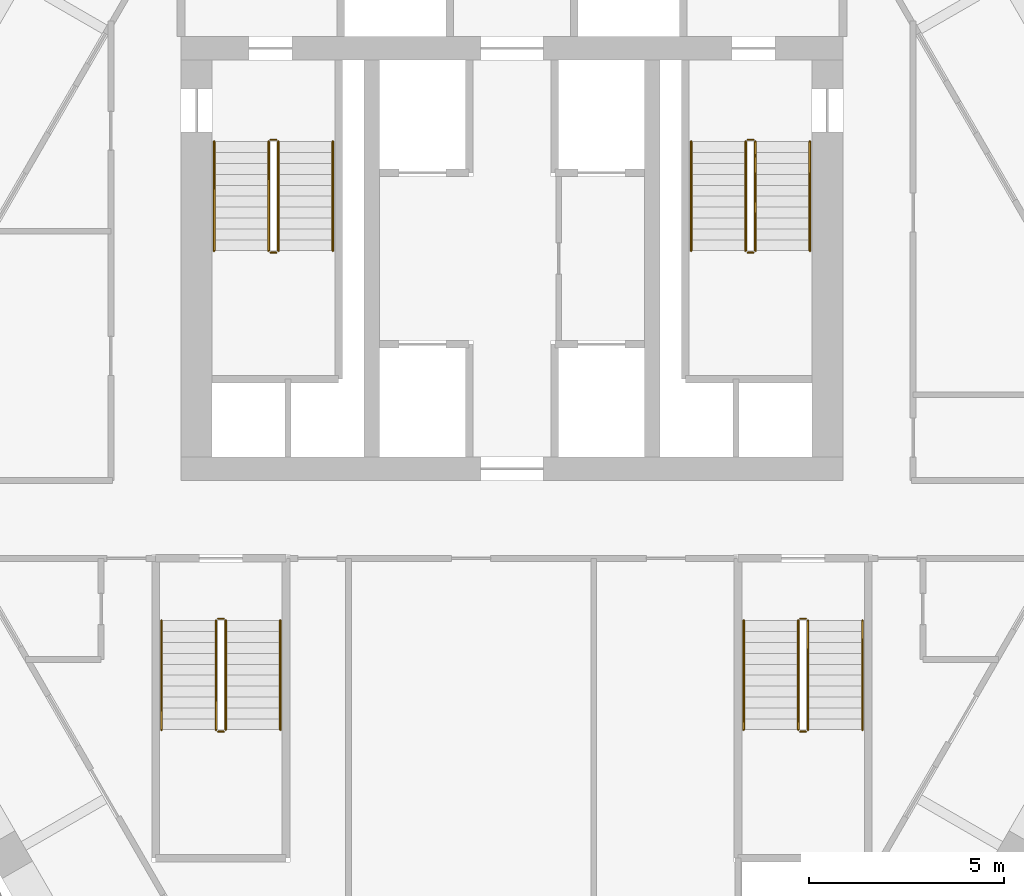
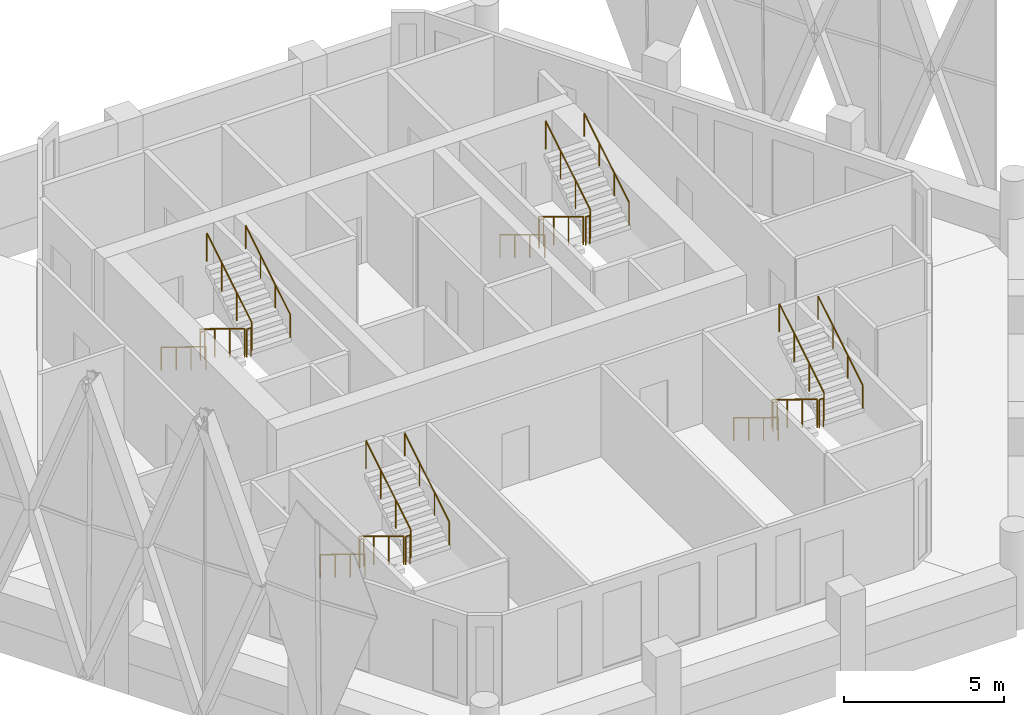
# One storey, part 18 of 18: 24 railings.
"""IFC4 building model written with IfcOpenShell, lengths in metres."""

from ifc_helpers import new_model, si_unit, direction, frame, origin, origin_2d, place, context, subcontext, project, spatial, circle, extrude, material, type_object, element, save


model = new_model("IFC4")

# Units and contexts
model_context = context("Model", 3, precision=1e-05, world=origin(), true_north=direction((0.0, 1.0)))
body_context = subcontext(model_context, "Body", "Model", "MODEL_VIEW")
ifc_project = project(units=[si_unit("LENGTHUNIT", "METRE"), si_unit("AREAUNIT", "SQUARE_METRE"), si_unit("VOLUMEUNIT", "CUBIC_METRE"), si_unit("PLANEANGLEUNIT", "RADIAN"), si_unit("MASSUNIT", "GRAM", prefix="KILO")], contexts=[model_context])

# Site, building, storey
site_placement = place(None, origin())
site = spatial("IfcSite", under=ifc_project, at=site_placement, CompositionType="ELEMENT")
building_placement = place(site_placement, origin())
building = spatial("IfcBuilding", under=site, at=building_placement, Name="Ostrander Bayou Hotel Tower", CompositionType="ELEMENT")
storey_placement = place(building_placement, frame((0.0, 0.0, 214.5)))
storey = spatial("IfcBuildingStorey", under=building, at=storey_placement, Name="L53", CompositionType="ELEMENT", Elevation=214.5)

# Railings
ifc_material_1 = material(Name="Steel ASTM A500 Gr C", Category="steel")
railing_type_1 = type_object("IfcRailingType", Name="GR1 stair guard 1100 mm steel", PredefinedType="GUARDRAIL", material=ifc_material_1)
railing_1_placement = place(storey_placement, frame((-6.25, 7.0, 0.17041015625)))
element("IfcRailing", 1, at=railing_1_placement, inside=storey, type_object=railing_type_1, Name="L53 STA stair guard 1", PredefinedType="GUARDRAIL", context=body_context, shape_type="SweptSolid", body=[
    extrude(circle(Radius=0.02392578125, at=origin_2d()), frame((0.0, 0.0, 1.076171875), z_axis=(0.0, -0.854169791009, 0.51999420009), x_axis=(1.0, 0.0, 0.0)), (0.0, 0.0, 1.0), 3.278076171875),
    extrude(circle(Radius=0.02099609375, at=origin_2d()), origin(), (0.0, 0.0, 1.0), 1.052001953125),
    extrude(circle(Radius=0.02099609375, at=origin_2d()), frame((0.0, -0.933349609375, 0.568115234375)), (0.0, 0.0, 1.0), 1.052001953125),
    extrude(circle(Radius=0.02099609375, at=origin_2d()), frame((0.0, -1.86669921875, 1.136474609375)), (0.0, 0.0, 1.0), 1.052001953125),
    extrude(circle(Radius=0.02099609375, at=origin_2d()), frame((0.0, -2.800048828125, 1.70458984375)), (0.0, 0.0, 1.0), 1.052001953125),
])
railing_2_placement = place(storey_placement, frame((-6.199951171875, 4.14990234375, 1.875)))
element("IfcRailing", 2, at=railing_2_placement, inside=storey, type_object=railing_type_1, Name="L53 STA stair guard 2", PredefinedType="GUARDRAIL", context=body_context, shape_type="SweptSolid", body=[
    extrude(circle(Radius=0.02392578125, at=origin_2d()), frame((0.0, 0.0, 1.076171875), z_axis=(1.0, 0.0, 0.0), x_axis=(0.0, 1.0, 0.0)), (0.0, 0.0, 1.0), 0.14990234375),
    extrude(circle(Radius=0.02099609375, at=origin_2d()), origin(), (0.0, 0.0, 1.0), 1.052001953125),
    extrude(circle(Radius=0.02099609375, at=origin_2d()), frame((0.14990234375, 0.0, 0.0)), (0.0, 0.0, 1.0), 1.052001953125),
])
railing_3_placement = place(storey_placement, frame((-6.0, 4.199951171875, 2.04541015625)))
element("IfcRailing", 3, at=railing_3_placement, inside=storey, type_object=railing_type_1, Name="L53 STA stair guard 3", PredefinedType="GUARDRAIL", context=body_context, shape_type="SweptSolid", body=[
    extrude(circle(Radius=0.02392578125, at=origin_2d()), frame((0.0, 0.0, 1.076171875), z_axis=(0.0, 0.854169791009, 0.51999420009), x_axis=(-1.0, 0.0, 0.0)), (0.0, 0.0, 1.0), 3.278076171875),
    extrude(circle(Radius=0.02099609375, at=origin_2d()), origin(), (0.0, 0.0, 1.0), 1.052001953125),
    extrude(circle(Radius=0.02099609375, at=origin_2d()), frame((0.0, 0.933349609375, 0.568115234375)), (0.0, 0.0, 1.0), 1.052001953125),
    extrude(circle(Radius=0.02099609375, at=origin_2d()), frame((0.0, 1.86669921875, 1.136474609375)), (0.0, 0.0, 1.0), 1.052001953125),
    extrude(circle(Radius=0.02099609375, at=origin_2d()), frame((0.0, 2.800048828125, 1.70458984375)), (0.0, 0.0, 1.0), 1.052001953125),
])
railing_4_placement = place(storey_placement, frame((-6.199951171875, 7.050048828125, 0.0)))
element("IfcRailing", 4, at=railing_4_placement, inside=storey, type_object=railing_type_1, Name="L53 STA stair guard 4", PredefinedType="GUARDRAIL", context=body_context, shape_type="SweptSolid", body=[
    extrude(circle(Radius=0.02392578125, at=origin_2d()), frame((0.0, 0.0, 1.076171875), z_axis=(1.0, 0.0, 0.0), x_axis=(0.0, 1.0, 0.0)), (0.0, 0.0, 1.0), 0.14990234375),
    extrude(circle(Radius=0.02099609375, at=origin_2d()), origin(), (0.0, 0.0, 1.0), 1.052001953125),
    extrude(circle(Radius=0.02099609375, at=origin_2d()), frame((0.14990234375, 0.0, 0.0)), (0.0, 0.0, 1.0), 1.052001953125),
])
railing_5_placement = place(storey_placement, frame((6.0, 7.0, 0.17041015625)))
element("IfcRailing", 5, at=railing_5_placement, inside=storey, type_object=railing_type_1, Name="L53 STB stair guard 1", PredefinedType="GUARDRAIL", context=body_context, shape_type="SweptSolid", body=[
    extrude(circle(Radius=0.02392578125, at=origin_2d()), frame((0.0, 0.0, 1.076171875), z_axis=(0.0, -0.854169791009, 0.51999420009), x_axis=(1.0, 0.0, 0.0)), (0.0, 0.0, 1.0), 3.278076171875),
    extrude(circle(Radius=0.02099609375, at=origin_2d()), origin(), (0.0, 0.0, 1.0), 1.052001953125),
    extrude(circle(Radius=0.02099609375, at=origin_2d()), frame((0.0, -0.933349609375, 0.568115234375)), (0.0, 0.0, 1.0), 1.052001953125),
    extrude(circle(Radius=0.02099609375, at=origin_2d()), frame((0.0, -1.86669921875, 1.136474609375)), (0.0, 0.0, 1.0), 1.052001953125),
    extrude(circle(Radius=0.02099609375, at=origin_2d()), frame((0.0, -2.800048828125, 1.70458984375)), (0.0, 0.0, 1.0), 1.052001953125),
])
railing_6_placement = place(storey_placement, frame((6.050048828125, 4.14990234375, 1.875)))
element("IfcRailing", 6, at=railing_6_placement, inside=storey, type_object=railing_type_1, Name="L53 STB stair guard 2", PredefinedType="GUARDRAIL", context=body_context, shape_type="SweptSolid", body=[
    extrude(circle(Radius=0.02392578125, at=origin_2d()), frame((0.0, 0.0, 1.076171875), z_axis=(1.0, 0.0, 0.0), x_axis=(0.0, 1.0, 0.0)), (0.0, 0.0, 1.0), 0.14990234375),
    extrude(circle(Radius=0.02099609375, at=origin_2d()), origin(), (0.0, 0.0, 1.0), 1.052001953125),
    extrude(circle(Radius=0.02099609375, at=origin_2d()), frame((0.14990234375, 0.0, 0.0)), (0.0, 0.0, 1.0), 1.052001953125),
])
railing_7_placement = place(storey_placement, frame((6.25, 4.199951171875, 2.04541015625)))
element("IfcRailing", 7, at=railing_7_placement, inside=storey, type_object=railing_type_1, Name="L53 STB stair guard 3", PredefinedType="GUARDRAIL", context=body_context, shape_type="SweptSolid", body=[
    extrude(circle(Radius=0.02392578125, at=origin_2d()), frame((0.0, 0.0, 1.076171875), z_axis=(0.0, 0.854169791009, 0.51999420009), x_axis=(-1.0, 0.0, 0.0)), (0.0, 0.0, 1.0), 3.278076171875),
    extrude(circle(Radius=0.02099609375, at=origin_2d()), origin(), (0.0, 0.0, 1.0), 1.052001953125),
    extrude(circle(Radius=0.02099609375, at=origin_2d()), frame((0.0, 0.933349609375, 0.568115234375)), (0.0, 0.0, 1.0), 1.052001953125),
    extrude(circle(Radius=0.02099609375, at=origin_2d()), frame((0.0, 1.86669921875, 1.136474609375)), (0.0, 0.0, 1.0), 1.052001953125),
    extrude(circle(Radius=0.02099609375, at=origin_2d()), frame((0.0, 2.800048828125, 1.70458984375)), (0.0, 0.0, 1.0), 1.052001953125),
])
railing_8_placement = place(storey_placement, frame((6.050048828125, 7.050048828125, 0.0)))
element("IfcRailing", 8, at=railing_8_placement, inside=storey, type_object=railing_type_1, Name="L53 STB stair guard 4", PredefinedType="GUARDRAIL", context=body_context, shape_type="SweptSolid", body=[
    extrude(circle(Radius=0.02392578125, at=origin_2d()), frame((0.0, 0.0, 1.076171875), z_axis=(1.0, 0.0, 0.0), x_axis=(0.0, 1.0, 0.0)), (0.0, 0.0, 1.0), 0.14990234375),
    extrude(circle(Radius=0.02099609375, at=origin_2d()), origin(), (0.0, 0.0, 1.0), 1.052001953125),
    extrude(circle(Radius=0.02099609375, at=origin_2d()), frame((0.14990234375, 0.0, 0.0)), (0.0, 0.0, 1.0), 1.052001953125),
])
railing_9_placement = place(storey_placement, frame((7.35009765625, -5.300048828125, 0.17041015625)))
element("IfcRailing", 9, at=railing_9_placement, inside=storey, type_object=railing_type_1, Name="L53 STC stair guard 1", PredefinedType="GUARDRAIL", context=body_context, shape_type="SweptSolid", body=[
    extrude(circle(Radius=0.02392578125, at=origin_2d()), frame((0.0, 0.0, 1.076171875), z_axis=(0.0, -0.854169791009, 0.51999420009), x_axis=(1.0, 0.0, 0.0)), (0.0, 0.0, 1.0), 3.278076171875),
    extrude(circle(Radius=0.02099609375, at=origin_2d()), origin(), (0.0, 0.0, 1.0), 1.052001953125),
    extrude(circle(Radius=0.02099609375, at=origin_2d()), frame((0.0, -0.933349609375, 0.568115234375)), (0.0, 0.0, 1.0), 1.052001953125),
    extrude(circle(Radius=0.02099609375, at=origin_2d()), frame((0.0, -1.86669921875, 1.136474609375)), (0.0, 0.0, 1.0), 1.052001953125),
    extrude(circle(Radius=0.02099609375, at=origin_2d()), frame((0.0, -2.800048828125, 1.70458984375)), (0.0, 0.0, 1.0), 1.052001953125),
])
railing_10_placement = place(storey_placement, frame((7.39990234375, -8.14990234375, 1.875)))
element("IfcRailing", 10, at=railing_10_placement, inside=storey, type_object=railing_type_1, Name="L53 STC stair guard 2", PredefinedType="GUARDRAIL", context=body_context, shape_type="SweptSolid", body=[
    extrude(circle(Radius=0.02392578125, at=origin_2d()), frame((0.0, 0.0, 1.076171875), z_axis=(1.0, 0.0, 0.0), x_axis=(0.0, 1.0, 0.0)), (0.0, 0.0, 1.0), 0.150146484375),
    extrude(circle(Radius=0.02099609375, at=origin_2d()), origin(), (0.0, 0.0, 1.0), 1.052001953125),
    extrude(circle(Radius=0.02099609375, at=origin_2d()), frame((0.150146484375, 0.0, 0.0)), (0.0, 0.0, 1.0), 1.052001953125),
])
railing_11_placement = place(storey_placement, frame((7.60009765625, -8.10009765625, 2.04541015625)))
element("IfcRailing", 11, at=railing_11_placement, inside=storey, type_object=railing_type_1, Name="L53 STC stair guard 3", PredefinedType="GUARDRAIL", context=body_context, shape_type="SweptSolid", body=[
    extrude(circle(Radius=0.02392578125, at=origin_2d()), frame((0.0, 0.0, 1.076171875), z_axis=(0.0, 0.854169791009, 0.51999420009), x_axis=(-1.0, 0.0, 0.0)), (0.0, 0.0, 1.0), 3.278076171875),
    extrude(circle(Radius=0.02099609375, at=origin_2d()), origin(), (0.0, 0.0, 1.0), 1.052001953125),
    extrude(circle(Radius=0.02099609375, at=origin_2d()), frame((0.0, 0.933349609375, 0.568115234375)), (0.0, 0.0, 1.0), 1.052001953125),
    extrude(circle(Radius=0.02099609375, at=origin_2d()), frame((0.0, 1.86669921875, 1.136474609375)), (0.0, 0.0, 1.0), 1.052001953125),
    extrude(circle(Radius=0.02099609375, at=origin_2d()), frame((0.0, 2.800048828125, 1.70458984375)), (0.0, 0.0, 1.0), 1.052001953125),
])
railing_12_placement = place(storey_placement, frame((7.39990234375, -5.25, 0.0)))
element("IfcRailing", 12, at=railing_12_placement, inside=storey, type_object=railing_type_1, Name="L53 STC stair guard 4", PredefinedType="GUARDRAIL", context=body_context, shape_type="SweptSolid", body=[
    extrude(circle(Radius=0.02392578125, at=origin_2d()), frame((0.0, 0.0, 1.076171875), z_axis=(1.0, 0.0, 0.0), x_axis=(0.0, 1.0, 0.0)), (0.0, 0.0, 1.0), 0.150146484375),
    extrude(circle(Radius=0.02099609375, at=origin_2d()), origin(), (0.0, 0.0, 1.0), 1.052001953125),
    extrude(circle(Radius=0.02099609375, at=origin_2d()), frame((0.150146484375, 0.0, 0.0)), (0.0, 0.0, 1.0), 1.052001953125),
])
railing_13_placement = place(storey_placement, frame((-7.60009765625, -5.300048828125, 0.17041015625)))
element("IfcRailing", 13, at=railing_13_placement, inside=storey, type_object=railing_type_1, Name="L53 STD stair guard 1", PredefinedType="GUARDRAIL", context=body_context, shape_type="SweptSolid", body=[
    extrude(circle(Radius=0.02392578125, at=origin_2d()), frame((0.0, 0.0, 1.076171875), z_axis=(0.0, -0.854169791009, 0.51999420009), x_axis=(1.0, 0.0, 0.0)), (0.0, 0.0, 1.0), 3.278076171875),
    extrude(circle(Radius=0.02099609375, at=origin_2d()), origin(), (0.0, 0.0, 1.0), 1.052001953125),
    extrude(circle(Radius=0.02099609375, at=origin_2d()), frame((0.0, -0.933349609375, 0.568115234375)), (0.0, 0.0, 1.0), 1.052001953125),
    extrude(circle(Radius=0.02099609375, at=origin_2d()), frame((0.0, -1.86669921875, 1.136474609375)), (0.0, 0.0, 1.0), 1.052001953125),
    extrude(circle(Radius=0.02099609375, at=origin_2d()), frame((0.0, -2.800048828125, 1.70458984375)), (0.0, 0.0, 1.0), 1.052001953125),
])
railing_14_placement = place(storey_placement, frame((-7.550048828125, -8.14990234375, 1.875)))
element("IfcRailing", 14, at=railing_14_placement, inside=storey, type_object=railing_type_1, Name="L53 STD stair guard 2", PredefinedType="GUARDRAIL", context=body_context, shape_type="SweptSolid", body=[
    extrude(circle(Radius=0.02392578125, at=origin_2d()), frame((0.0, 0.0, 1.076171875), z_axis=(1.0, 0.0, 0.0), x_axis=(0.0, 1.0, 0.0)), (0.0, 0.0, 1.0), 0.150146484375),
    extrude(circle(Radius=0.02099609375, at=origin_2d()), origin(), (0.0, 0.0, 1.0), 1.052001953125),
    extrude(circle(Radius=0.02099609375, at=origin_2d()), frame((0.150146484375, 0.0, 0.0)), (0.0, 0.0, 1.0), 1.052001953125),
])
railing_15_placement = place(storey_placement, frame((-7.35009765625, -8.10009765625, 2.04541015625)))
element("IfcRailing", 15, at=railing_15_placement, inside=storey, type_object=railing_type_1, Name="L53 STD stair guard 3", PredefinedType="GUARDRAIL", context=body_context, shape_type="SweptSolid", body=[
    extrude(circle(Radius=0.02392578125, at=origin_2d()), frame((0.0, 0.0, 1.076171875), z_axis=(0.0, 0.854169791009, 0.51999420009), x_axis=(-1.0, 0.0, 0.0)), (0.0, 0.0, 1.0), 3.278076171875),
    extrude(circle(Radius=0.02099609375, at=origin_2d()), origin(), (0.0, 0.0, 1.0), 1.052001953125),
    extrude(circle(Radius=0.02099609375, at=origin_2d()), frame((0.0, 0.933349609375, 0.568115234375)), (0.0, 0.0, 1.0), 1.052001953125),
    extrude(circle(Radius=0.02099609375, at=origin_2d()), frame((0.0, 1.86669921875, 1.136474609375)), (0.0, 0.0, 1.0), 1.052001953125),
    extrude(circle(Radius=0.02099609375, at=origin_2d()), frame((0.0, 2.800048828125, 1.70458984375)), (0.0, 0.0, 1.0), 1.052001953125),
])
railing_16_placement = place(storey_placement, frame((-7.550048828125, -5.25, 0.0)))
element("IfcRailing", 16, at=railing_16_placement, inside=storey, type_object=railing_type_1, Name="L53 STD stair guard 4", PredefinedType="GUARDRAIL", context=body_context, shape_type="SweptSolid", body=[
    extrude(circle(Radius=0.02392578125, at=origin_2d()), frame((0.0, 0.0, 1.076171875), z_axis=(1.0, 0.0, 0.0), x_axis=(0.0, 1.0, 0.0)), (0.0, 0.0, 1.0), 0.150146484375),
    extrude(circle(Radius=0.02099609375, at=origin_2d()), origin(), (0.0, 0.0, 1.0), 1.052001953125),
    extrude(circle(Radius=0.02099609375, at=origin_2d()), frame((0.150146484375, 0.0, 0.0)), (0.0, 0.0, 1.0), 1.052001953125),
])
ifc_material_2 = material(Name="Steel ASTM A500 Gr C", Category="steel")
railing_type_2 = type_object("IfcRailingType", Name="HR1 stair handrail 900 mm steel", PredefinedType="HANDRAIL", material=ifc_material_2)
railing_17_placement = place(storey_placement, frame((-7.64990234375, 7.0, 0.17041015625)))
element("IfcRailing", 17, at=railing_17_placement, inside=storey, type_object=railing_type_2, Name="L53 STA stair handrail 1", PredefinedType="HANDRAIL", context=body_context, shape_type="SweptSolid", body=[
    extrude(circle(Radius=0.02392578125, at=origin_2d()), frame((0.0, 0.0, 0.8759765625), z_axis=(0.0, -0.854169791009, 0.51999420009), x_axis=(1.0, 0.0, 0.0)), (0.0, 0.0, 1.0), 3.278076171875),
    extrude(circle(Radius=0.02099609375, at=origin_2d()), origin(), (0.0, 0.0, 1.0), 0.851806640625),
    extrude(circle(Radius=0.02099609375, at=origin_2d()), frame((0.0, -0.933349609375, 0.568115234375)), (0.0, 0.0, 1.0), 0.851806640625),
    extrude(circle(Radius=0.02099609375, at=origin_2d()), frame((0.0, -1.86669921875, 1.136474609375)), (0.0, 0.0, 1.0), 0.851806640625),
    extrude(circle(Radius=0.02099609375, at=origin_2d()), frame((0.0, -2.800048828125, 1.70458984375)), (0.0, 0.0, 1.0), 0.851806640625),
])
railing_18_placement = place(storey_placement, frame((-4.60009765625, 4.199951171875, 2.04541015625)))
element("IfcRailing", 18, at=railing_18_placement, inside=storey, type_object=railing_type_2, Name="L53 STA stair handrail 2", PredefinedType="HANDRAIL", context=body_context, shape_type="SweptSolid", body=[
    extrude(circle(Radius=0.02392578125, at=origin_2d()), frame((0.0, 0.0, 0.8759765625), z_axis=(0.0, 0.854169791009, 0.51999420009), x_axis=(-1.0, 0.0, 0.0)), (0.0, 0.0, 1.0), 3.278076171875),
    extrude(circle(Radius=0.02099609375, at=origin_2d()), origin(), (0.0, 0.0, 1.0), 0.851806640625),
    extrude(circle(Radius=0.02099609375, at=origin_2d()), frame((0.0, 0.933349609375, 0.568115234375)), (0.0, 0.0, 1.0), 0.851806640625),
    extrude(circle(Radius=0.02099609375, at=origin_2d()), frame((0.0, 1.86669921875, 1.136474609375)), (0.0, 0.0, 1.0), 0.851806640625),
    extrude(circle(Radius=0.02099609375, at=origin_2d()), frame((0.0, 2.800048828125, 1.70458984375)), (0.0, 0.0, 1.0), 0.851806640625),
])
railing_19_placement = place(storey_placement, frame((4.60009765625, 7.0, 0.17041015625)))
element("IfcRailing", 19, at=railing_19_placement, inside=storey, type_object=railing_type_2, Name="L53 STB stair handrail 1", PredefinedType="HANDRAIL", context=body_context, shape_type="SweptSolid", body=[
    extrude(circle(Radius=0.02392578125, at=origin_2d()), frame((0.0, 0.0, 0.8759765625), z_axis=(0.0, -0.854169791009, 0.51999420009), x_axis=(1.0, 0.0, 0.0)), (0.0, 0.0, 1.0), 3.278076171875),
    extrude(circle(Radius=0.02099609375, at=origin_2d()), origin(), (0.0, 0.0, 1.0), 0.851806640625),
    extrude(circle(Radius=0.02099609375, at=origin_2d()), frame((0.0, -0.933349609375, 0.568115234375)), (0.0, 0.0, 1.0), 0.851806640625),
    extrude(circle(Radius=0.02099609375, at=origin_2d()), frame((0.0, -1.86669921875, 1.136474609375)), (0.0, 0.0, 1.0), 0.851806640625),
    extrude(circle(Radius=0.02099609375, at=origin_2d()), frame((0.0, -2.800048828125, 1.70458984375)), (0.0, 0.0, 1.0), 0.851806640625),
])
railing_20_placement = place(storey_placement, frame((7.64990234375, 4.199951171875, 2.04541015625)))
element("IfcRailing", 20, at=railing_20_placement, inside=storey, type_object=railing_type_2, Name="L53 STB stair handrail 2", PredefinedType="HANDRAIL", context=body_context, shape_type="SweptSolid", body=[
    extrude(circle(Radius=0.02392578125, at=origin_2d()), frame((0.0, 0.0, 0.8759765625), z_axis=(0.0, 0.854169791009, 0.51999420009), x_axis=(-1.0, 0.0, 0.0)), (0.0, 0.0, 1.0), 3.278076171875),
    extrude(circle(Radius=0.02099609375, at=origin_2d()), origin(), (0.0, 0.0, 1.0), 0.851806640625),
    extrude(circle(Radius=0.02099609375, at=origin_2d()), frame((0.0, 0.933349609375, 0.568115234375)), (0.0, 0.0, 1.0), 0.851806640625),
    extrude(circle(Radius=0.02099609375, at=origin_2d()), frame((0.0, 1.86669921875, 1.136474609375)), (0.0, 0.0, 1.0), 0.851806640625),
    extrude(circle(Radius=0.02099609375, at=origin_2d()), frame((0.0, 2.800048828125, 1.70458984375)), (0.0, 0.0, 1.0), 0.851806640625),
])
railing_21_placement = place(storey_placement, frame((5.949951171875, -5.300048828125, 0.17041015625)))
element("IfcRailing", 21, at=railing_21_placement, inside=storey, type_object=railing_type_2, Name="L53 STC stair handrail 1", PredefinedType="HANDRAIL", context=body_context, shape_type="SweptSolid", body=[
    extrude(circle(Radius=0.02392578125, at=origin_2d()), frame((0.0, 0.0, 0.8759765625), z_axis=(0.0, -0.854169791009, 0.51999420009), x_axis=(1.0, 0.0, 0.0)), (0.0, 0.0, 1.0), 3.278076171875),
    extrude(circle(Radius=0.02099609375, at=origin_2d()), origin(), (0.0, 0.0, 1.0), 0.851806640625),
    extrude(circle(Radius=0.02099609375, at=origin_2d()), frame((0.0, -0.933349609375, 0.568115234375)), (0.0, 0.0, 1.0), 0.851806640625),
    extrude(circle(Radius=0.02099609375, at=origin_2d()), frame((0.0, -1.86669921875, 1.136474609375)), (0.0, 0.0, 1.0), 0.851806640625),
    extrude(circle(Radius=0.02099609375, at=origin_2d()), frame((0.0, -2.800048828125, 1.70458984375)), (0.0, 0.0, 1.0), 0.851806640625),
])
railing_22_placement = place(storey_placement, frame((9.0, -8.10009765625, 2.04541015625)))
element("IfcRailing", 22, at=railing_22_placement, inside=storey, type_object=railing_type_2, Name="L53 STC stair handrail 2", PredefinedType="HANDRAIL", context=body_context, shape_type="SweptSolid", body=[
    extrude(circle(Radius=0.02392578125, at=origin_2d()), frame((0.0, 0.0, 0.8759765625), z_axis=(0.0, 0.854169791009, 0.51999420009), x_axis=(-1.0, 0.0, 0.0)), (0.0, 0.0, 1.0), 3.278076171875),
    extrude(circle(Radius=0.02099609375, at=origin_2d()), origin(), (0.0, 0.0, 1.0), 0.851806640625),
    extrude(circle(Radius=0.02099609375, at=origin_2d()), frame((0.0, 0.933349609375, 0.568115234375)), (0.0, 0.0, 1.0), 0.851806640625),
    extrude(circle(Radius=0.02099609375, at=origin_2d()), frame((0.0, 1.86669921875, 1.136474609375)), (0.0, 0.0, 1.0), 0.851806640625),
    extrude(circle(Radius=0.02099609375, at=origin_2d()), frame((0.0, 2.800048828125, 1.70458984375)), (0.0, 0.0, 1.0), 0.851806640625),
])
railing_23_placement = place(storey_placement, frame((-9.0, -5.300048828125, 0.17041015625)))
element("IfcRailing", 23, at=railing_23_placement, inside=storey, type_object=railing_type_2, Name="L53 STD stair handrail 1", PredefinedType="HANDRAIL", context=body_context, shape_type="SweptSolid", body=[
    extrude(circle(Radius=0.02392578125, at=origin_2d()), frame((0.0, 0.0, 0.8759765625), z_axis=(0.0, -0.854169791009, 0.51999420009), x_axis=(1.0, 0.0, 0.0)), (0.0, 0.0, 1.0), 3.278076171875),
    extrude(circle(Radius=0.02099609375, at=origin_2d()), origin(), (0.0, 0.0, 1.0), 0.851806640625),
    extrude(circle(Radius=0.02099609375, at=origin_2d()), frame((0.0, -0.933349609375, 0.568115234375)), (0.0, 0.0, 1.0), 0.851806640625),
    extrude(circle(Radius=0.02099609375, at=origin_2d()), frame((0.0, -1.86669921875, 1.136474609375)), (0.0, 0.0, 1.0), 0.851806640625),
    extrude(circle(Radius=0.02099609375, at=origin_2d()), frame((0.0, -2.800048828125, 1.70458984375)), (0.0, 0.0, 1.0), 0.851806640625),
])
railing_24_placement = place(storey_placement, frame((-5.949951171875, -8.10009765625, 2.04541015625)))
element("IfcRailing", 24, at=railing_24_placement, inside=storey, type_object=railing_type_2, Name="L53 STD stair handrail 2", PredefinedType="HANDRAIL", context=body_context, shape_type="SweptSolid", body=[
    extrude(circle(Radius=0.02392578125, at=origin_2d()), frame((0.0, 0.0, 0.8759765625), z_axis=(0.0, 0.854169791009, 0.51999420009), x_axis=(-1.0, 0.0, 0.0)), (0.0, 0.0, 1.0), 3.278076171875),
    extrude(circle(Radius=0.02099609375, at=origin_2d()), origin(), (0.0, 0.0, 1.0), 0.851806640625),
    extrude(circle(Radius=0.02099609375, at=origin_2d()), frame((0.0, 0.933349609375, 0.568115234375)), (0.0, 0.0, 1.0), 0.851806640625),
    extrude(circle(Radius=0.02099609375, at=origin_2d()), frame((0.0, 1.86669921875, 1.136474609375)), (0.0, 0.0, 1.0), 0.851806640625),
    extrude(circle(Radius=0.02099609375, at=origin_2d()), frame((0.0, 2.800048828125, 1.70458984375)), (0.0, 0.0, 1.0), 0.851806640625),
])

save(model, "model.ifc")
